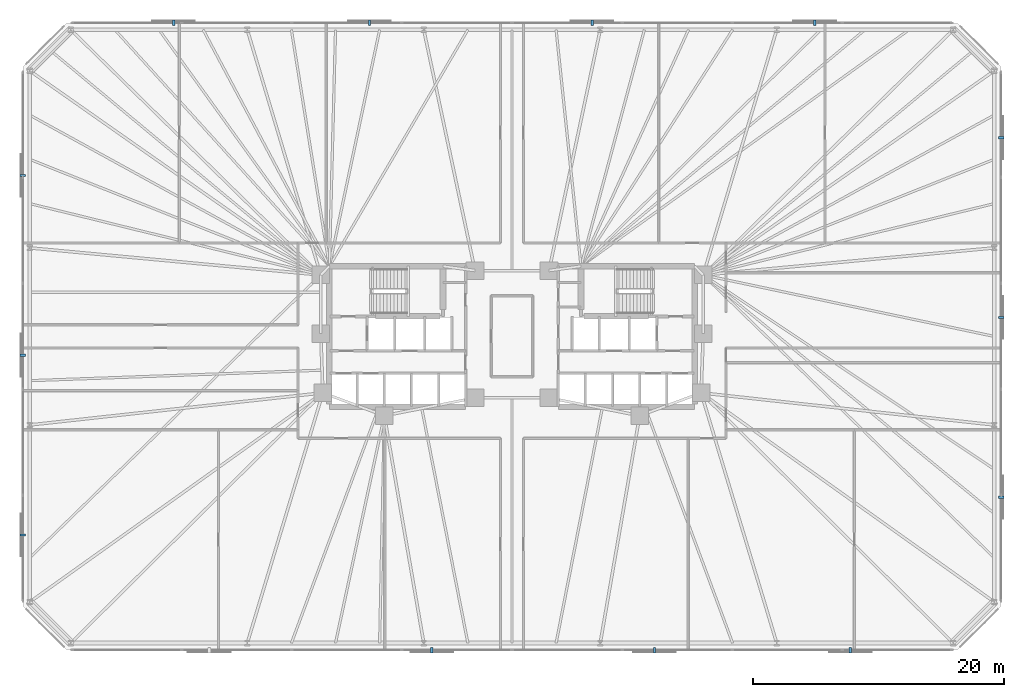
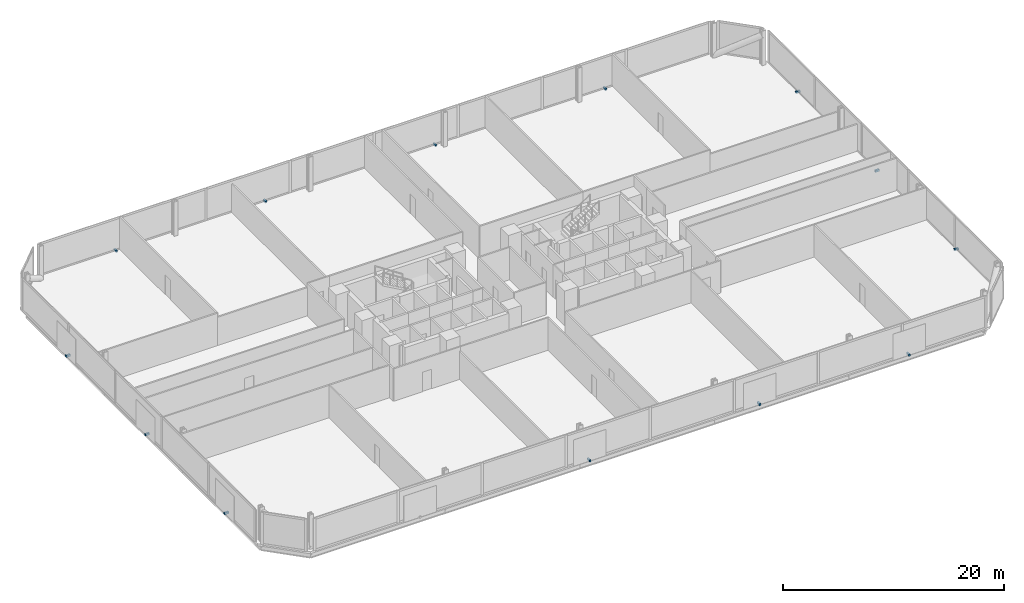
# One storey, part 16 of 17: 13 discrete accessories.
"""IFC4 building model written with IfcOpenShell, lengths in metres."""

from ifc_helpers import new_model, si_unit, direction, frame, origin, origin_2d, place, context, subcontext, project, spatial, rectangle, extrude, material, type_object, element, save


model = new_model("IFC4")

# Units and contexts
model_context = context("Model", 3, precision=1e-05, world=origin(), true_north=direction((0.0, 1.0)))
body_context = subcontext(model_context, "Body", "Model", "MODEL_VIEW")
ifc_project = project(units=[si_unit("LENGTHUNIT", "METRE"), si_unit("AREAUNIT", "SQUARE_METRE"), si_unit("VOLUMEUNIT", "CUBIC_METRE"), si_unit("PLANEANGLEUNIT", "RADIAN"), si_unit("MASSUNIT", "GRAM", prefix="KILO")], contexts=[model_context])

# Site, building, storey
site_placement = place(None, origin())
site = spatial("IfcSite", under=ifc_project, at=site_placement, CompositionType="ELEMENT")
building_placement = place(site_placement, origin())
building = spatial("IfcBuilding", under=site, at=building_placement, Name="Menara Jurai Vektor", CompositionType="ELEMENT")
storey_placement = place(building_placement, frame((0.0, 0.0, 71.199951171875)))
storey = spatial("IfcBuildingStorey", under=building, at=storey_placement, Name="L17", CompositionType="ELEMENT", Elevation=71.199951171875)

# Discrete accessories
ifc_material = material(Name="Steel S355", Category="steel")
discrete_accessory_type = type_object("IfcDiscreteAccessoryType", Name="ENV-ACC-BRACKET", PredefinedType="BRACKET", material=ifc_material)
for number, where, z_axis, x_axis, name in (
    (1, (-6.389892578125, -25.010009765625, -0.1298828125), (0.0, 0.0, 1.0), (1.0, 0.0, 0.0), "Solar Screen Stand-Off Bracket L17-S02"),
    (2, (11.360107421875, -25.010009765625, -0.1298828125), (0.0, 0.0, 1.0), (1.0, 0.0, 0.0), "Solar Screen Stand-Off Bracket L17-S03"),
    (3, (26.97998046875, -25.010009765625, -0.1298828125), (0.0, 0.0, 1.0), (1.0, 0.0, 0.0), "Solar Screen Stand-Off Bracket L17-S04"),
    (4, (39.010009765625, -12.828369140625, -0.1298828125), (0.0, 0.0, 1.0), (0.0, 1.0, 0.0), "Solar Screen Stand-Off Bracket L17-S05"),
    (5, (39.010009765625, 1.5048828125, -0.1298828125), (0.0, 0.0, 1.0), (0.0, 1.0, 0.0), "Solar Screen Stand-Off Bracket L17-S06"),
    (6, (39.010009765625, 15.83837890625, -0.1298828125), (0.0, 0.0, 1.0), (0.0, 1.0, 0.0), "Solar Screen Stand-Off Bracket L17-S07"),
    (7, (24.139892578125, 25.010009765625, -0.1298828125), (0.0, 0.0, 1.0), (-1.0, 0.0, 0.0), "Solar Screen Stand-Off Bracket L17-S08"),
    (8, (6.389892578125, 25.010009765625, -0.1298828125), (0.0, 0.0, 1.0), (-1.0, 0.0, 0.0), "Solar Screen Stand-Off Bracket L17-S09"),
    (9, (-11.360107421875, 25.010009765625, -0.1298828125), (0.0, 0.0, 1.0), (-1.0, 0.0, 0.0), "Solar Screen Stand-Off Bracket L17-S10"),
    (10, (-26.97998046875, 25.010009765625, -0.1298828125), (0.0, 0.0, 1.0), (-1.0, 0.0, 0.0), "Solar Screen Stand-Off Bracket L17-S11"),
    (11, (-39.010009765625, 12.828369140625, -0.1298828125), (0.0, 0.0, 1.0), (0.0, -1.0, 0.0), "Solar Screen Stand-Off Bracket L17-S12"),
    (12, (-39.010009765625, -1.5048828125, -0.1298828125), (0.0, 0.0, 1.0), (0.0, -1.0, 0.0), "Solar Screen Stand-Off Bracket L17-S13"),
    (13, (-39.010009765625, -15.83837890625, -0.1298828125), (0.0, 0.0, 1.0), (0.0, -1.0, 0.0), "Solar Screen Stand-Off Bracket L17-S14"),
):
    element("IfcDiscreteAccessory", number, at=place(storey_placement, frame(where, z_axis=z_axis, x_axis=x_axis)), inside=storey, type_object=discrete_accessory_type, Name=name, PredefinedType="BRACKET", context=body_context, shape_type="SweptSolid", body=[
        extrude(rectangle(XDim=0.179931640625, YDim=0.43994140625, at=origin_2d()), origin(), (0.0, 0.0, 1.0), 0.219970703125),
    ])

save(model, "model.ifc")
